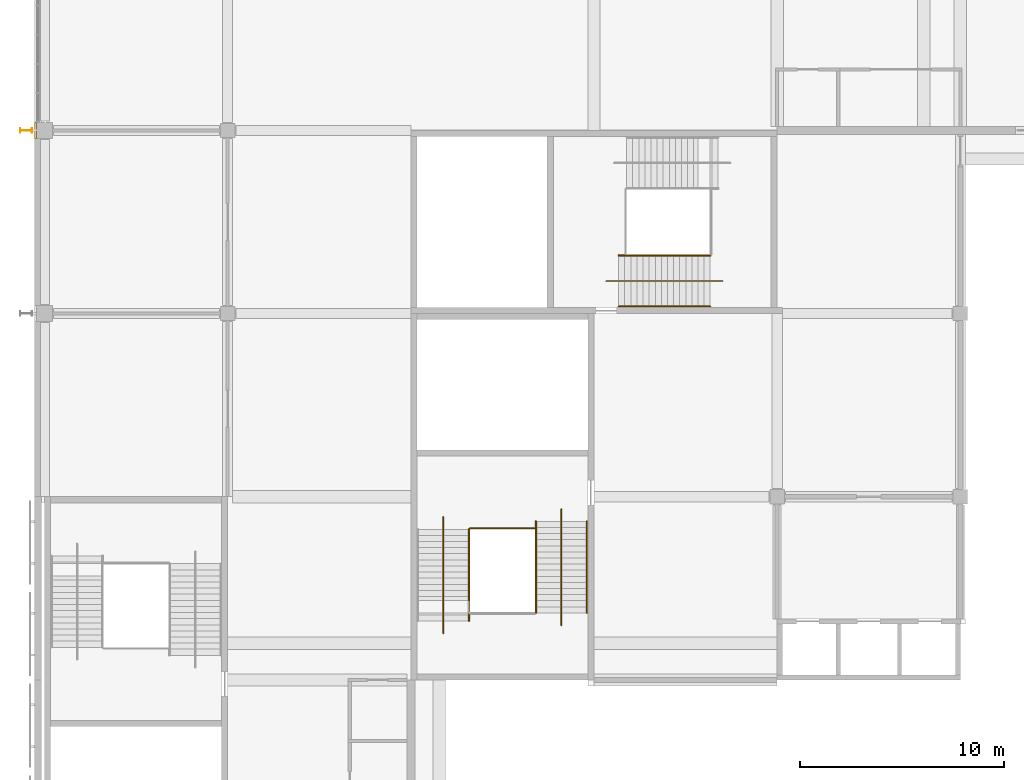
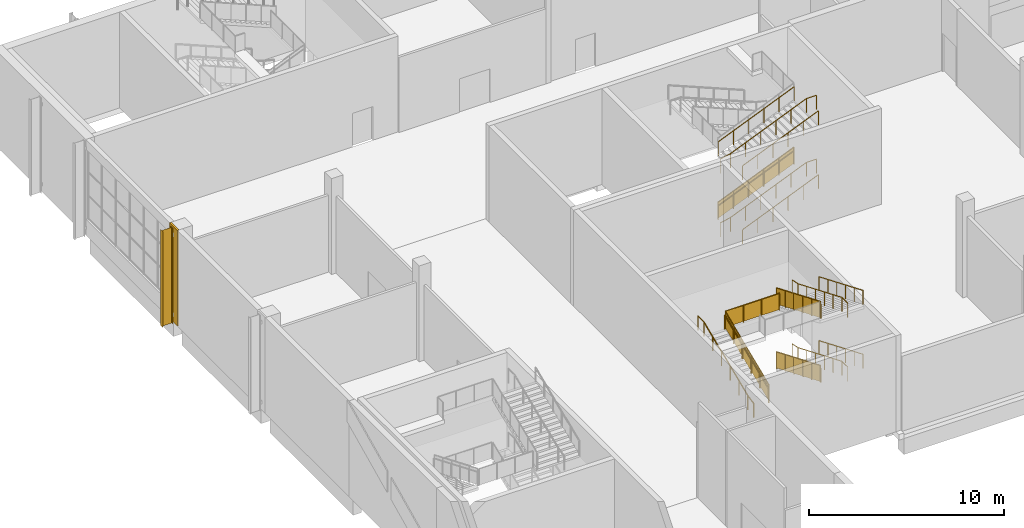
# One storey, part 77 of 89: 19 railings, 1 covering, 1 shading device.
"""IFC4 building model written with IfcOpenShell, lengths in metres."""

from ifc_helpers import new_model, si_unit, direction, frame, origin, origin_2d, place, context, subcontext, project, spatial, polyline, circle, i_section, outline, extrude, material, layer, layer_set, material_profile, profile_set, type_object, element, save


model = new_model("IFC4")

# Units and contexts
model_context = context("Model", 3, precision=1e-05, world=origin(), true_north=direction((0.0, 1.0)))
body_context = subcontext(model_context, "Body", "Model", "MODEL_VIEW")
ifc_project = project(units=[si_unit("LENGTHUNIT", "METRE"), si_unit("AREAUNIT", "SQUARE_METRE"), si_unit("VOLUMEUNIT", "CUBIC_METRE"), si_unit("PLANEANGLEUNIT", "RADIAN"), si_unit("MASSUNIT", "GRAM", prefix="KILO")], contexts=[model_context])

# Site, building, storey
site_placement = place(None, origin())
site = spatial("IfcSite", under=ifc_project, at=site_placement, CompositionType="ELEMENT")
building_placement = place(site_placement, origin())
building = spatial("IfcBuilding", under=site, at=building_placement, Name="Silverbay Arena", CompositionType="ELEMENT")
storey_placement = place(building_placement, frame((0.0, 0.0, 22.0)))
storey = spatial("IfcBuildingStorey", under=building, at=storey_placement, Name="L03", CompositionType="ELEMENT", Elevation=22.0)

# Covering
ifc_material_1 = material(Name="Aluminium composite cladding", Category="aluminium")
ifc_layer = layer(ifc_material_1, 0.10009765625)
ifc_layer_set = layer_set([ifc_layer], Name="Aluminium composite cladding")
covering_type = type_object("IfcCoveringType", Name="Column cladding 100", PredefinedType="CLADDING", material=ifc_layer_set)
covering_placement = place(storey_placement, origin())
element("IfcCovering", 1, at=covering_placement, inside=storey, type_object=covering_type, Name="West column cladding L03 13", PredefinedType="CLADDING", context=body_context, shape_type="SweptSolid", body=[
    extrude(outline(polyline([(53.5, 125.60009765625), (53.60009765625, 125.60009765625), (53.60009765625, 126.39990234375), (53.5, 126.39990234375), (53.5, 125.60009765625)])), origin(), (0.0, 0.0, 1.0), 6.0),
])

# Railings
ifc_material_2 = material(Name="Stainless steel", Category="steel")
railing_type_1 = type_object("IfcRailingType", Name="Stair guard 1100", PredefinedType="GUARDRAIL", material=ifc_material_2)
railing_1_placement = place(storey_placement, frame((82.2099609375, 119.875, 0.125)))
element("IfcRailing", 2, at=railing_1_placement, inside=storey, type_object=railing_type_1, Name="Stair ST-NW1 L03 to L04 flight 1 guard right", PredefinedType="GUARDRAIL", context=body_context, shape_type="SweptSolid", body=[
    extrude(circle(Radius=0.02392578125, at=origin_2d()), frame((0.0, 0.0, 1.076171875), z_axis=(0.923076923077, 0.0, 0.384615384615), x_axis=(0.0, 1.0, 0.0)), (0.0, 0.0, 1.0), 4.875),
    extrude(outline(polyline([(-0.008056640625, 0.046630859375), (0.907958984375, 0.42822265625), (0.907958984375, 1.431396484375), (-0.008056640625, 1.049560546875), (-0.008056640625, 0.046630859375)])), frame((0.0, 0.0029296875, 0.0), z_axis=(0.0, -1.0, 0.0), x_axis=(1.0, 0.0, 0.0)), (0.0, 0.0, 1.0), 0.006103515625),
    extrude(outline(polyline([(-0.008056640625, 0.421630859375), (0.907958984375, 0.80322265625), (0.907958984375, 1.806396484375), (-0.008056640625, 1.424560546875), (-0.008056640625, 0.421630859375)])), frame((0.89990234375, 0.0029296875, 0.0), z_axis=(0.0, -1.0, 0.0), x_axis=(1.0, 0.0, 0.0)), (0.0, 0.0, 1.0), 0.006103515625),
    extrude(outline(polyline([(-0.008056640625, 0.796630859375), (0.907958984375, 1.17822265625), (0.907958984375, 2.181396484375), (-0.008056640625, 1.799560546875), (-0.008056640625, 0.796630859375)])), frame((1.800048828125, 0.0029296875, 0.0), z_axis=(0.0, -1.0, 0.0), x_axis=(1.0, 0.0, 0.0)), (0.0, 0.0, 1.0), 0.006103515625),
    extrude(outline(polyline([(-0.008056640625, 1.171630859375), (0.907958984375, 1.55322265625), (0.907958984375, 2.556396484375), (-0.008056640625, 2.174560546875), (-0.008056640625, 1.171630859375)])), frame((2.699951171875, 0.0029296875, 0.0), z_axis=(0.0, -1.0, 0.0), x_axis=(1.0, 0.0, 0.0)), (0.0, 0.0, 1.0), 0.006103515625),
    extrude(outline(polyline([(-0.008056640625, 1.546630859375), (0.907958984375, 1.92822265625), (0.907958984375, 2.931396484375), (-0.008056640625, 2.549560546875), (-0.008056640625, 1.546630859375)])), frame((3.60009765625, 0.0029296875, 0.0), z_axis=(0.0, -1.0, 0.0), x_axis=(1.0, 0.0, 0.0)), (0.0, 0.0, 1.0), 0.006103515625),
    extrude(circle(Radius=0.02099609375, at=origin_2d()), origin(), (0.0, 0.0, 1.0), 1.052001953125),
    extrude(circle(Radius=0.02099609375, at=origin_2d()), frame((0.89990234375, 0.0, 0.375)), (0.0, 0.0, 1.0), 1.052001953125),
    extrude(circle(Radius=0.02099609375, at=origin_2d()), frame((1.800048828125, 0.0, 0.75)), (0.0, 0.0, 1.0), 1.052001953125),
    extrude(circle(Radius=0.02099609375, at=origin_2d()), frame((2.699951171875, 0.0, 1.125)), (0.0, 0.0, 1.0), 1.052001953125),
    extrude(circle(Radius=0.02099609375, at=origin_2d()), frame((3.60009765625, 0.0, 1.5)), (0.0, 0.0, 1.0), 1.052001953125),
    extrude(circle(Radius=0.02099609375, at=origin_2d()), frame((4.5, 0.0, 1.875)), (0.0, 0.0, 1.0), 1.052001953125),
])
railing_2_placement = place(storey_placement, frame((78.125, 106.7900390625, 0.125)))
element("IfcRailing", 3, at=railing_2_placement, inside=storey, type_object=railing_type_1, Name="Stair ST-NW2 L03 to L04 flight 1 guard right", PredefinedType="GUARDRAIL", context=body_context, shape_type="SweptSolid", body=[
    extrude(circle(Radius=0.02392578125, at=origin_2d()), frame((0.0, 0.0, 1.076171875), z_axis=(0.0, -0.923076923077, 0.384615384615), x_axis=(1.0, 0.0, 0.0)), (0.0, 0.0, 1.0), 4.875),
    extrude(outline(polyline([(-0.008056640625, 0.046630859375), (0.907958984375, 0.42822265625), (0.907958984375, 1.431396484375), (-0.008056640625, 1.049560546875), (-0.008056640625, 0.046630859375)])), frame((0.0029296875, 0.0, 0.0), z_axis=(-1.0, 0.0, 0.0), x_axis=(0.0, -1.0, 0.0)), (0.0, 0.0, 1.0), 0.006103515625),
    extrude(outline(polyline([(-0.008056640625, 0.421630859375), (0.907958984375, 0.80322265625), (0.907958984375, 1.806396484375), (-0.008056640625, 1.424560546875), (-0.008056640625, 0.421630859375)])), frame((0.0029296875, -0.89990234375, 0.0), z_axis=(-1.0, 0.0, 0.0), x_axis=(0.0, -1.0, 0.0)), (0.0, 0.0, 1.0), 0.006103515625),
    extrude(outline(polyline([(-0.008056640625, 0.796630859375), (0.907958984375, 1.17822265625), (0.907958984375, 2.181396484375), (-0.008056640625, 1.799560546875), (-0.008056640625, 0.796630859375)])), frame((0.0029296875, -1.800048828125, 0.0), z_axis=(-1.0, 0.0, 0.0), x_axis=(0.0, -1.0, 0.0)), (0.0, 0.0, 1.0), 0.006103515625),
    extrude(outline(polyline([(-0.008056640625, 1.171630859375), (0.907958984375, 1.55322265625), (0.907958984375, 2.556396484375), (-0.008056640625, 2.174560546875), (-0.008056640625, 1.171630859375)])), frame((0.0029296875, -2.699951171875, 0.0), z_axis=(-1.0, 0.0, 0.0), x_axis=(0.0, -1.0, 0.0)), (0.0, 0.0, 1.0), 0.006103515625),
    extrude(outline(polyline([(-0.008056640625, 1.546630859375), (0.907958984375, 1.92822265625), (0.907958984375, 2.931396484375), (-0.008056640625, 2.549560546875), (-0.008056640625, 1.546630859375)])), frame((0.0029296875, -3.60009765625, 0.0), z_axis=(-1.0, 0.0, 0.0), x_axis=(0.0, -1.0, 0.0)), (0.0, 0.0, 1.0), 0.006103515625),
    extrude(circle(Radius=0.02099609375, at=origin_2d()), origin(), (0.0, 0.0, 1.0), 1.052001953125),
    extrude(circle(Radius=0.02099609375, at=origin_2d()), frame((0.0, -0.89990234375, 0.375)), (0.0, 0.0, 1.0), 1.052001953125),
    extrude(circle(Radius=0.02099609375, at=origin_2d()), frame((0.0, -1.800048828125, 0.75)), (0.0, 0.0, 1.0), 1.052001953125),
    extrude(circle(Radius=0.02099609375, at=origin_2d()), frame((0.0, -2.699951171875, 1.125)), (0.0, 0.0, 1.0), 1.052001953125),
    extrude(circle(Radius=0.02099609375, at=origin_2d()), frame((0.0, -3.60009765625, 1.5)), (0.0, 0.0, 1.0), 1.052001953125),
    extrude(circle(Radius=0.02099609375, at=origin_2d()), frame((0.0, -4.5, 1.875)), (0.0, 0.0, 1.0), 1.052001953125),
])
railing_3_placement = place(storey_placement, frame((74.875, 101.89990234375, 2.125)))
element("IfcRailing", 4, at=railing_3_placement, inside=storey, type_object=railing_type_1, Name="Stair ST-NW2 L03 to L04 flight 2 guard left", PredefinedType="GUARDRAIL", context=body_context, shape_type="SweptSolid", body=[
    extrude(circle(Radius=0.02392578125, at=origin_2d()), frame((0.0, 0.0, 1.076171875), z_axis=(0.0, 0.923076923077, 0.384615384615), x_axis=(-1.0, 0.0, 0.0)), (0.0, 0.0, 1.0), 4.875),
    extrude(outline(polyline([(-0.008056640625, 0.046630859375), (0.907958984375, 0.42822265625), (0.907958984375, 1.431396484375), (-0.008056640625, 1.049560546875), (-0.008056640625, 0.046630859375)])), frame((-0.0029296875, 0.0, 0.0), z_axis=(1.0, 0.0, 0.0), x_axis=(0.0, 1.0, 0.0)), (0.0, 0.0, 1.0), 0.006103515625),
    extrude(outline(polyline([(-0.008056640625, 0.421630859375), (0.907958984375, 0.80322265625), (0.907958984375, 1.806396484375), (-0.008056640625, 1.424560546875), (-0.008056640625, 0.421630859375)])), frame((-0.0029296875, 0.89990234375, 0.0), z_axis=(1.0, 0.0, 0.0), x_axis=(0.0, 1.0, 0.0)), (0.0, 0.0, 1.0), 0.006103515625),
    extrude(outline(polyline([(-0.008056640625, 0.796630859375), (0.907958984375, 1.17822265625), (0.907958984375, 2.181396484375), (-0.008056640625, 1.799560546875), (-0.008056640625, 0.796630859375)])), frame((-0.0029296875, 1.800048828125, 0.0), z_axis=(1.0, 0.0, 0.0), x_axis=(0.0, 1.0, 0.0)), (0.0, 0.0, 1.0), 0.006103515625),
    extrude(outline(polyline([(-0.008056640625, 1.171630859375), (0.907958984375, 1.55322265625), (0.907958984375, 2.556396484375), (-0.008056640625, 2.174560546875), (-0.008056640625, 1.171630859375)])), frame((-0.0029296875, 2.699951171875, 0.0), z_axis=(1.0, 0.0, 0.0), x_axis=(0.0, 1.0, 0.0)), (0.0, 0.0, 1.0), 0.006103515625),
    extrude(outline(polyline([(-0.008056640625, 1.546630859375), (0.907958984375, 1.92822265625), (0.907958984375, 2.931396484375), (-0.008056640625, 2.549560546875), (-0.008056640625, 1.546630859375)])), frame((-0.0029296875, 3.60009765625, 0.0), z_axis=(1.0, 0.0, 0.0), x_axis=(0.0, 1.0, 0.0)), (0.0, 0.0, 1.0), 0.006103515625),
    extrude(circle(Radius=0.02099609375, at=origin_2d()), origin(), (0.0, 0.0, 1.0), 1.052001953125),
    extrude(circle(Radius=0.02099609375, at=origin_2d()), frame((0.0, 0.89990234375, 0.375)), (0.0, 0.0, 1.0), 1.052001953125),
    extrude(circle(Radius=0.02099609375, at=origin_2d()), frame((0.0, 1.800048828125, 0.75)), (0.0, 0.0, 1.0), 1.052001953125),
    extrude(circle(Radius=0.02099609375, at=origin_2d()), frame((0.0, 2.699951171875, 1.125)), (0.0, 0.0, 1.0), 1.052001953125),
    extrude(circle(Radius=0.02099609375, at=origin_2d()), frame((0.0, 3.60009765625, 1.5)), (0.0, 0.0, 1.0), 1.052001953125),
    extrude(circle(Radius=0.02099609375, at=origin_2d()), frame((0.0, 4.5, 1.875)), (0.0, 0.0, 1.0), 1.052001953125),
])
railing_4_placement = place(storey_placement, frame((78.125, 106.7900390625, 4.125)))
element("IfcRailing", 5, at=railing_4_placement, inside=storey, type_object=railing_type_1, Name="Stair ST-NW2 L03 to L04 flight 3 guard right", PredefinedType="GUARDRAIL", context=body_context, shape_type="SweptSolid", body=[
    extrude(circle(Radius=0.02392578125, at=origin_2d()), frame((0.0, 0.0, 1.076171875), z_axis=(0.0, -0.923076923077, 0.384615384615), x_axis=(1.0, 0.0, 0.0)), (0.0, 0.0, 1.0), 4.875),
    extrude(outline(polyline([(-0.008056640625, 0.046630859375), (0.907958984375, 0.42822265625), (0.907958984375, 1.431396484375), (-0.008056640625, 1.049560546875), (-0.008056640625, 0.046630859375)])), frame((0.0029296875, 0.0, 0.0), z_axis=(-1.0, 0.0, 0.0), x_axis=(0.0, -1.0, 0.0)), (0.0, 0.0, 1.0), 0.006103515625),
    extrude(outline(polyline([(-0.008056640625, 0.421630859375), (0.907958984375, 0.80322265625), (0.907958984375, 1.806396484375), (-0.008056640625, 1.424560546875), (-0.008056640625, 0.421630859375)])), frame((0.0029296875, -0.89990234375, 0.0), z_axis=(-1.0, 0.0, 0.0), x_axis=(0.0, -1.0, 0.0)), (0.0, 0.0, 1.0), 0.006103515625),
    extrude(outline(polyline([(-0.008056640625, 0.796630859375), (0.907958984375, 1.17822265625), (0.907958984375, 2.181396484375), (-0.008056640625, 1.799560546875), (-0.008056640625, 0.796630859375)])), frame((0.0029296875, -1.800048828125, 0.0), z_axis=(-1.0, 0.0, 0.0), x_axis=(0.0, -1.0, 0.0)), (0.0, 0.0, 1.0), 0.006103515625),
    extrude(outline(polyline([(-0.008056640625, 1.171630859375), (0.907958984375, 1.55322265625), (0.907958984375, 2.556396484375), (-0.008056640625, 2.174560546875), (-0.008056640625, 1.171630859375)])), frame((0.0029296875, -2.699951171875, 0.0), z_axis=(-1.0, 0.0, 0.0), x_axis=(0.0, -1.0, 0.0)), (0.0, 0.0, 1.0), 0.006103515625),
    extrude(outline(polyline([(-0.008056640625, 1.546630859375), (0.907958984375, 1.92822265625), (0.907958984375, 2.931396484375), (-0.008056640625, 2.549560546875), (-0.008056640625, 1.546630859375)])), frame((0.0029296875, -3.60009765625, 0.0), z_axis=(-1.0, 0.0, 0.0), x_axis=(0.0, -1.0, 0.0)), (0.0, 0.0, 1.0), 0.006103515625),
    extrude(circle(Radius=0.02099609375, at=origin_2d()), origin(), (0.0, 0.0, 1.0), 1.052001953125),
    extrude(circle(Radius=0.02099609375, at=origin_2d()), frame((0.0, -0.89990234375, 0.375)), (0.0, 0.0, 1.0), 1.052001953125),
    extrude(circle(Radius=0.02099609375, at=origin_2d()), frame((0.0, -1.800048828125, 0.75)), (0.0, 0.0, 1.0), 1.052001953125),
    extrude(circle(Radius=0.02099609375, at=origin_2d()), frame((0.0, -2.699951171875, 1.125)), (0.0, 0.0, 1.0), 1.052001953125),
    extrude(circle(Radius=0.02099609375, at=origin_2d()), frame((0.0, -3.60009765625, 1.5)), (0.0, 0.0, 1.0), 1.052001953125),
    extrude(circle(Radius=0.02099609375, at=origin_2d()), frame((0.0, -4.5, 1.875)), (0.0, 0.0, 1.0), 1.052001953125),
])
railing_5_placement = place(storey_placement, frame((78.10009765625, 106.449951171875, 4.0)))
element("IfcRailing", 6, at=railing_5_placement, inside=storey, type_object=railing_type_1, Name="Stair ST-NW2 L03 to L04 landing 2 guard", PredefinedType="GUARDRAIL", context=body_context, shape_type="SweptSolid", body=[
    extrude(circle(Radius=0.02392578125, at=origin_2d()), frame((0.0, 0.0, 1.076171875), z_axis=(-1.0, 0.0, 0.0), x_axis=(0.0, -1.0, 0.0)), (0.0, 0.0, 1.0), 3.2001953125),
    extrude(outline(polyline([(-0.008056640625, 0.050048828125), (1.07470703125, 0.050048828125), (1.07470703125, 1.052978515625), (-0.008056640625, 1.052978515625), (-0.008056640625, 0.050048828125)])), frame((0.0, -0.0029296875, 0.0), z_axis=(0.0, 1.0, 0.0), x_axis=(-1.0, 0.0, 0.0)), (0.0, 0.0, 1.0), 0.006103515625),
    extrude(outline(polyline([(-0.008056640625, 0.050048828125), (1.07470703125, 0.050048828125), (1.07470703125, 1.052978515625), (-0.008056640625, 1.052978515625), (-0.008056640625, 0.050048828125)])), frame((-1.066650390625, -0.0029296875, 0.0), z_axis=(0.0, 1.0, 0.0), x_axis=(-1.0, 0.0, 0.0)), (0.0, 0.0, 1.0), 0.006103515625),
    extrude(outline(polyline([(-0.008056640625, 0.050048828125), (1.07470703125, 0.050048828125), (1.07470703125, 1.052978515625), (-0.008056640625, 1.052978515625), (-0.008056640625, 0.050048828125)])), frame((-2.133544921875, -0.0029296875, 0.0), z_axis=(0.0, 1.0, 0.0), x_axis=(-1.0, 0.0, 0.0)), (0.0, 0.0, 1.0), 0.006103515625),
    extrude(circle(Radius=0.02099609375, at=origin_2d()), origin(), (0.0, 0.0, 1.0), 1.052001953125),
    extrude(circle(Radius=0.02099609375, at=origin_2d()), frame((-1.066650390625, 0.0, 0.0)), (0.0, 0.0, 1.0), 1.052001953125),
    extrude(circle(Radius=0.02099609375, at=origin_2d()), frame((-2.133544921875, 0.0, 0.0)), (0.0, 0.0, 1.0), 1.052001953125),
    extrude(circle(Radius=0.02099609375, at=origin_2d()), frame((-3.2001953125, 0.0, 0.0)), (0.0, 0.0, 1.0), 1.052001953125),
])
ifc_material_3 = material(Name="Stainless steel", Category="steel")
railing_type_2 = type_object("IfcRailingType", Name="Stair handrail 900", PredefinedType="HANDRAIL", material=ifc_material_3)
for number, where, name in (
    (7, (82.2099609375, 117.35009765625, 0.125), "Stair ST-NW1 L03 to L04 flight 1 handrail left"),
    (8, (82.2099609375, 119.8359375, 0.125), "Stair ST-NW1 L03 to L04 flight 1 handrail right"),
):
    element("IfcRailing", number, at=place(storey_placement, frame(where)), inside=storey, type_object=railing_type_2, Name=name, PredefinedType="HANDRAIL", context=body_context, shape_type="SweptSolid", body=[
        extrude(circle(Radius=0.02392578125, at=origin_2d()), frame((0.0, 0.0, 0.8759765625), z_axis=(0.923076923077, 0.0, 0.384615384615), x_axis=(0.0, 1.0, 0.0)), (0.0, 0.0, 1.0), 4.875),
        extrude(circle(Radius=0.02099609375, at=origin_2d()), origin(), (0.0, 0.0, 1.0), 0.851806640625),
        extrude(circle(Radius=0.02099609375, at=origin_2d()), frame((0.89990234375, 0.0, 0.375)), (0.0, 0.0, 1.0), 0.851806640625),
        extrude(circle(Radius=0.02099609375, at=origin_2d()), frame((1.800048828125, 0.0, 0.75)), (0.0, 0.0, 1.0), 0.851806640625),
        extrude(circle(Radius=0.02099609375, at=origin_2d()), frame((2.699951171875, 0.0, 1.125)), (0.0, 0.0, 1.0), 0.851806640625),
        extrude(circle(Radius=0.02099609375, at=origin_2d()), frame((3.60009765625, 0.0, 1.5)), (0.0, 0.0, 1.0), 0.851806640625),
        extrude(circle(Radius=0.02099609375, at=origin_2d()), frame((4.5, 0.0, 1.875)), (0.0, 0.0, 1.0), 0.851806640625),
    ])
railing_6_placement = place(storey_placement, frame((81.610107421875, 118.60009765625, 0.0)))
element("IfcRailing", 9, at=railing_6_placement, inside=storey, type_object=railing_type_2, Name="Stair ST-NW1 L03 to L04 flight 1 central handrail", PredefinedType="HANDRAIL", context=body_context, shape_type="SweptSolid", body=[
    extrude(circle(Radius=0.02392578125, at=origin_2d()), frame((0.0, 0.0, 0.8759765625), z_axis=(0.978970474113, 0.0, 0.20400198728), x_axis=(0.0, 1.0, 0.0)), (0.0, 0.0, 1.0), 0.61279296875),
    extrude(circle(Radius=0.02392578125, at=origin_2d()), frame((0.599853515625, 0.0, 1.0009765625), z_axis=(0.923076923077, 0.0, 0.384615384615), x_axis=(0.0, 1.0, 0.0)), (0.0, 0.0, 1.0), 4.875),
    extrude(circle(Radius=0.02392578125, at=origin_2d()), frame((5.099853515625, 0.0, 2.8759765625), z_axis=(1.0, 0.0, 0.0), x_axis=(0.0, 1.0, 0.0)), (0.0, 0.0, 1.0), 0.60009765625),
    extrude(circle(Radius=0.02099609375, at=origin_2d()), origin(), (0.0, 0.0, 1.0), 0.851806640625),
    extrude(circle(Radius=0.02099609375, at=origin_2d()), frame((0.599853515625, 0.0, 0.125)), (0.0, 0.0, 1.0), 0.851806640625),
    extrude(circle(Radius=0.02099609375, at=origin_2d()), frame((1.499755859375, 0.0, 0.5)), (0.0, 0.0, 1.0), 0.851806640625),
    extrude(circle(Radius=0.02099609375, at=origin_2d()), frame((2.39990234375, 0.0, 0.875)), (0.0, 0.0, 1.0), 0.851806640625),
    extrude(circle(Radius=0.02099609375, at=origin_2d()), frame((3.2998046875, 0.0, 1.25)), (0.0, 0.0, 1.0), 0.851806640625),
    extrude(circle(Radius=0.02099609375, at=origin_2d()), frame((4.199951171875, 0.0, 1.625)), (0.0, 0.0, 1.0), 0.851806640625),
    extrude(circle(Radius=0.02099609375, at=origin_2d()), frame((5.099853515625, 0.0, 2.0)), (0.0, 0.0, 1.0), 0.851806640625),
    extrude(circle(Radius=0.02099609375, at=origin_2d()), frame((5.699951171875, 0.0, 2.0)), (0.0, 0.0, 1.0), 0.851806640625),
])
for number, where, name in (
    (10, (82.2099609375, 117.35009765625, 4.125), "Stair ST-NW1 L03 to L04 flight 3 handrail left"),
    (11, (82.2099609375, 119.8359375, 4.125), "Stair ST-NW1 L03 to L04 flight 3 handrail right"),
):
    element("IfcRailing", number, at=place(storey_placement, frame(where)), inside=storey, type_object=railing_type_2, Name=name, PredefinedType="HANDRAIL", context=body_context, shape_type="SweptSolid", body=[
        extrude(circle(Radius=0.02392578125, at=origin_2d()), frame((0.0, 0.0, 0.8759765625), z_axis=(0.923076923077, 0.0, 0.384615384615), x_axis=(0.0, 1.0, 0.0)), (0.0, 0.0, 1.0), 4.875),
        extrude(circle(Radius=0.02099609375, at=origin_2d()), origin(), (0.0, 0.0, 1.0), 0.851806640625),
        extrude(circle(Radius=0.02099609375, at=origin_2d()), frame((0.89990234375, 0.0, 0.375)), (0.0, 0.0, 1.0), 0.851806640625),
        extrude(circle(Radius=0.02099609375, at=origin_2d()), frame((1.800048828125, 0.0, 0.75)), (0.0, 0.0, 1.0), 0.851806640625),
        extrude(circle(Radius=0.02099609375, at=origin_2d()), frame((2.699951171875, 0.0, 1.125)), (0.0, 0.0, 1.0), 0.851806640625),
        extrude(circle(Radius=0.02099609375, at=origin_2d()), frame((3.60009765625, 0.0, 1.5)), (0.0, 0.0, 1.0), 0.851806640625),
        extrude(circle(Radius=0.02099609375, at=origin_2d()), frame((4.5, 0.0, 1.875)), (0.0, 0.0, 1.0), 0.851806640625),
    ])
railing_7_placement = place(storey_placement, frame((81.610107421875, 118.60009765625, 4.0)))
element("IfcRailing", 12, at=railing_7_placement, inside=storey, type_object=railing_type_2, Name="Stair ST-NW1 L03 to L04 flight 3 central handrail", PredefinedType="HANDRAIL", context=body_context, shape_type="SweptSolid", body=[
    extrude(circle(Radius=0.02392578125, at=origin_2d()), frame((0.0, 0.0, 0.8759765625), z_axis=(0.978970474113, 0.0, 0.20400198728), x_axis=(0.0, 1.0, 0.0)), (0.0, 0.0, 1.0), 0.61279296875),
    extrude(circle(Radius=0.02392578125, at=origin_2d()), frame((0.599853515625, 0.0, 1.0009765625), z_axis=(0.923076923077, 0.0, 0.384615384615), x_axis=(0.0, 1.0, 0.0)), (0.0, 0.0, 1.0), 4.875),
    extrude(circle(Radius=0.02392578125, at=origin_2d()), frame((5.099853515625, 0.0, 2.8759765625), z_axis=(1.0, 0.0, 0.0), x_axis=(0.0, 1.0, 0.0)), (0.0, 0.0, 1.0), 0.60009765625),
    extrude(circle(Radius=0.02099609375, at=origin_2d()), origin(), (0.0, 0.0, 1.0), 0.851806640625),
    extrude(circle(Radius=0.02099609375, at=origin_2d()), frame((0.599853515625, 0.0, 0.125)), (0.0, 0.0, 1.0), 0.851806640625),
    extrude(circle(Radius=0.02099609375, at=origin_2d()), frame((1.499755859375, 0.0, 0.5)), (0.0, 0.0, 1.0), 0.851806640625),
    extrude(circle(Radius=0.02099609375, at=origin_2d()), frame((2.39990234375, 0.0, 0.875)), (0.0, 0.0, 1.0), 0.851806640625),
    extrude(circle(Radius=0.02099609375, at=origin_2d()), frame((3.2998046875, 0.0, 1.25)), (0.0, 0.0, 1.0), 0.851806640625),
    extrude(circle(Radius=0.02099609375, at=origin_2d()), frame((4.199951171875, 0.0, 1.625)), (0.0, 0.0, 1.0), 0.851806640625),
    extrude(circle(Radius=0.02099609375, at=origin_2d()), frame((5.099853515625, 0.0, 2.0)), (0.0, 0.0, 1.0), 0.851806640625),
    extrude(circle(Radius=0.02099609375, at=origin_2d()), frame((5.699951171875, 0.0, 2.0)), (0.0, 0.0, 1.0), 0.851806640625),
])
for number, where, name in (
    (13, (80.64990234375, 106.7900390625, 0.125), "Stair ST-NW2 L03 to L04 flight 1 handrail left"),
    (14, (78.1640625, 106.7900390625, 0.125), "Stair ST-NW2 L03 to L04 flight 1 handrail right"),
):
    element("IfcRailing", number, at=place(storey_placement, frame(where)), inside=storey, type_object=railing_type_2, Name=name, PredefinedType="HANDRAIL", context=body_context, shape_type="SweptSolid", body=[
        extrude(circle(Radius=0.02392578125, at=origin_2d()), frame((0.0, 0.0, 0.8759765625), z_axis=(0.0, -0.923076923077, 0.384615384615), x_axis=(1.0, 0.0, 0.0)), (0.0, 0.0, 1.0), 4.875),
        extrude(circle(Radius=0.02099609375, at=origin_2d()), origin(), (0.0, 0.0, 1.0), 0.851806640625),
        extrude(circle(Radius=0.02099609375, at=origin_2d()), frame((0.0, -0.89990234375, 0.375)), (0.0, 0.0, 1.0), 0.851806640625),
        extrude(circle(Radius=0.02099609375, at=origin_2d()), frame((0.0, -1.800048828125, 0.75)), (0.0, 0.0, 1.0), 0.851806640625),
        extrude(circle(Radius=0.02099609375, at=origin_2d()), frame((0.0, -2.699951171875, 1.125)), (0.0, 0.0, 1.0), 0.851806640625),
        extrude(circle(Radius=0.02099609375, at=origin_2d()), frame((0.0, -3.60009765625, 1.5)), (0.0, 0.0, 1.0), 0.851806640625),
        extrude(circle(Radius=0.02099609375, at=origin_2d()), frame((0.0, -4.5, 1.875)), (0.0, 0.0, 1.0), 0.851806640625),
    ])
railing_8_placement = place(storey_placement, frame((79.39990234375, 107.389892578125, 0.0)))
element("IfcRailing", 15, at=railing_8_placement, inside=storey, type_object=railing_type_2, Name="Stair ST-NW2 L03 to L04 flight 1 central handrail", PredefinedType="HANDRAIL", context=body_context, shape_type="SweptSolid", body=[
    extrude(circle(Radius=0.02392578125, at=origin_2d()), frame((0.0, 0.0, 0.8759765625), z_axis=(0.0, -0.978970474113, 0.20400198728), x_axis=(1.0, 0.0, 0.0)), (0.0, 0.0, 1.0), 0.61279296875),
    extrude(circle(Radius=0.02392578125, at=origin_2d()), frame((0.0, -0.599853515625, 1.0009765625), z_axis=(0.0, -0.923076923077, 0.384615384615), x_axis=(1.0, 0.0, 0.0)), (0.0, 0.0, 1.0), 4.875),
    extrude(circle(Radius=0.02392578125, at=origin_2d()), frame((0.0, -5.099853515625, 2.8759765625), z_axis=(0.0, -1.0, 0.0), x_axis=(1.0, 0.0, 0.0)), (0.0, 0.0, 1.0), 0.60009765625),
    extrude(circle(Radius=0.02099609375, at=origin_2d()), origin(), (0.0, 0.0, 1.0), 0.851806640625),
    extrude(circle(Radius=0.02099609375, at=origin_2d()), frame((0.0, -0.599853515625, 0.125)), (0.0, 0.0, 1.0), 0.851806640625),
    extrude(circle(Radius=0.02099609375, at=origin_2d()), frame((0.0, -1.499755859375, 0.5)), (0.0, 0.0, 1.0), 0.851806640625),
    extrude(circle(Radius=0.02099609375, at=origin_2d()), frame((0.0, -2.39990234375, 0.875)), (0.0, 0.0, 1.0), 0.851806640625),
    extrude(circle(Radius=0.02099609375, at=origin_2d()), frame((0.0, -3.2998046875, 1.25)), (0.0, 0.0, 1.0), 0.851806640625),
    extrude(circle(Radius=0.02099609375, at=origin_2d()), frame((0.0, -4.199951171875, 1.625)), (0.0, 0.0, 1.0), 0.851806640625),
    extrude(circle(Radius=0.02099609375, at=origin_2d()), frame((0.0, -5.099853515625, 2.0)), (0.0, 0.0, 1.0), 0.851806640625),
    extrude(circle(Radius=0.02099609375, at=origin_2d()), frame((0.0, -5.699951171875, 2.0)), (0.0, 0.0, 1.0), 0.851806640625),
])
railing_9_placement = place(storey_placement, frame((74.8359375, 101.89990234375, 2.125)))
element("IfcRailing", 16, at=railing_9_placement, inside=storey, type_object=railing_type_2, Name="Stair ST-NW2 L03 to L04 flight 2 handrail left", PredefinedType="HANDRAIL", context=body_context, shape_type="SweptSolid", body=[
    extrude(circle(Radius=0.02392578125, at=origin_2d()), frame((0.0, 0.0, 0.8759765625), z_axis=(0.0, 0.923076923077, 0.384615384615), x_axis=(-1.0, 0.0, 0.0)), (0.0, 0.0, 1.0), 4.875),
    extrude(circle(Radius=0.02099609375, at=origin_2d()), origin(), (0.0, 0.0, 1.0), 0.851806640625),
    extrude(circle(Radius=0.02099609375, at=origin_2d()), frame((0.0, 0.89990234375, 0.375)), (0.0, 0.0, 1.0), 0.851806640625),
    extrude(circle(Radius=0.02099609375, at=origin_2d()), frame((0.0, 1.800048828125, 0.75)), (0.0, 0.0, 1.0), 0.851806640625),
    extrude(circle(Radius=0.02099609375, at=origin_2d()), frame((0.0, 2.699951171875, 1.125)), (0.0, 0.0, 1.0), 0.851806640625),
    extrude(circle(Radius=0.02099609375, at=origin_2d()), frame((0.0, 3.60009765625, 1.5)), (0.0, 0.0, 1.0), 0.851806640625),
    extrude(circle(Radius=0.02099609375, at=origin_2d()), frame((0.0, 4.5, 1.875)), (0.0, 0.0, 1.0), 0.851806640625),
])
railing_10_placement = place(storey_placement, frame((73.60009765625, 101.300048828125, 2.0)))
element("IfcRailing", 17, at=railing_10_placement, inside=storey, type_object=railing_type_2, Name="Stair ST-NW2 L03 to L04 flight 2 central handrail", PredefinedType="HANDRAIL", context=body_context, shape_type="SweptSolid", body=[
    extrude(circle(Radius=0.02392578125, at=origin_2d()), frame((0.0, 0.0, 0.8759765625), z_axis=(0.0, 0.978970474113, 0.20400198728), x_axis=(-1.0, 0.0, 0.0)), (0.0, 0.0, 1.0), 0.61279296875),
    extrude(circle(Radius=0.02392578125, at=origin_2d()), frame((0.0, 0.599853515625, 1.0009765625), z_axis=(0.0, 0.923076923077, 0.384615384615), x_axis=(-1.0, 0.0, 0.0)), (0.0, 0.0, 1.0), 4.875),
    extrude(circle(Radius=0.02392578125, at=origin_2d()), frame((0.0, 5.099853515625, 2.8759765625), z_axis=(0.0, 1.0, 0.0), x_axis=(-1.0, 0.0, 0.0)), (0.0, 0.0, 1.0), 0.60009765625),
    extrude(circle(Radius=0.02099609375, at=origin_2d()), origin(), (0.0, 0.0, 1.0), 0.851806640625),
    extrude(circle(Radius=0.02099609375, at=origin_2d()), frame((0.0, 0.599853515625, 0.125)), (0.0, 0.0, 1.0), 0.851806640625),
    extrude(circle(Radius=0.02099609375, at=origin_2d()), frame((0.0, 1.499755859375, 0.5)), (0.0, 0.0, 1.0), 0.851806640625),
    extrude(circle(Radius=0.02099609375, at=origin_2d()), frame((0.0, 2.39990234375, 0.875)), (0.0, 0.0, 1.0), 0.851806640625),
    extrude(circle(Radius=0.02099609375, at=origin_2d()), frame((0.0, 3.2998046875, 1.25)), (0.0, 0.0, 1.0), 0.851806640625),
    extrude(circle(Radius=0.02099609375, at=origin_2d()), frame((0.0, 4.199951171875, 1.625)), (0.0, 0.0, 1.0), 0.851806640625),
    extrude(circle(Radius=0.02099609375, at=origin_2d()), frame((0.0, 5.099853515625, 2.0)), (0.0, 0.0, 1.0), 0.851806640625),
    extrude(circle(Radius=0.02099609375, at=origin_2d()), frame((0.0, 5.699951171875, 2.0)), (0.0, 0.0, 1.0), 0.851806640625),
])
for number, where, name in (
    (18, (80.64990234375, 106.7900390625, 4.125), "Stair ST-NW2 L03 to L04 flight 3 handrail left"),
    (19, (78.1640625, 106.7900390625, 4.125), "Stair ST-NW2 L03 to L04 flight 3 handrail right"),
):
    element("IfcRailing", number, at=place(storey_placement, frame(where)), inside=storey, type_object=railing_type_2, Name=name, PredefinedType="HANDRAIL", context=body_context, shape_type="SweptSolid", body=[
        extrude(circle(Radius=0.02392578125, at=origin_2d()), frame((0.0, 0.0, 0.8759765625), z_axis=(0.0, -0.923076923077, 0.384615384615), x_axis=(1.0, 0.0, 0.0)), (0.0, 0.0, 1.0), 4.875),
        extrude(circle(Radius=0.02099609375, at=origin_2d()), origin(), (0.0, 0.0, 1.0), 0.851806640625),
        extrude(circle(Radius=0.02099609375, at=origin_2d()), frame((0.0, -0.89990234375, 0.375)), (0.0, 0.0, 1.0), 0.851806640625),
        extrude(circle(Radius=0.02099609375, at=origin_2d()), frame((0.0, -1.800048828125, 0.75)), (0.0, 0.0, 1.0), 0.851806640625),
        extrude(circle(Radius=0.02099609375, at=origin_2d()), frame((0.0, -2.699951171875, 1.125)), (0.0, 0.0, 1.0), 0.851806640625),
        extrude(circle(Radius=0.02099609375, at=origin_2d()), frame((0.0, -3.60009765625, 1.5)), (0.0, 0.0, 1.0), 0.851806640625),
        extrude(circle(Radius=0.02099609375, at=origin_2d()), frame((0.0, -4.5, 1.875)), (0.0, 0.0, 1.0), 0.851806640625),
    ])
railing_11_placement = place(storey_placement, frame((79.39990234375, 107.389892578125, 4.0)))
element("IfcRailing", 20, at=railing_11_placement, inside=storey, type_object=railing_type_2, Name="Stair ST-NW2 L03 to L04 flight 3 central handrail", PredefinedType="HANDRAIL", context=body_context, shape_type="SweptSolid", body=[
    extrude(circle(Radius=0.02392578125, at=origin_2d()), frame((0.0, 0.0, 0.8759765625), z_axis=(0.0, -0.978970474113, 0.20400198728), x_axis=(1.0, 0.0, 0.0)), (0.0, 0.0, 1.0), 0.61279296875),
    extrude(circle(Radius=0.02392578125, at=origin_2d()), frame((0.0, -0.599853515625, 1.0009765625), z_axis=(0.0, -0.923076923077, 0.384615384615), x_axis=(1.0, 0.0, 0.0)), (0.0, 0.0, 1.0), 4.875),
    extrude(circle(Radius=0.02392578125, at=origin_2d()), frame((0.0, -5.099853515625, 2.8759765625), z_axis=(0.0, -1.0, 0.0), x_axis=(1.0, 0.0, 0.0)), (0.0, 0.0, 1.0), 0.60009765625),
    extrude(circle(Radius=0.02099609375, at=origin_2d()), origin(), (0.0, 0.0, 1.0), 0.851806640625),
    extrude(circle(Radius=0.02099609375, at=origin_2d()), frame((0.0, -0.599853515625, 0.125)), (0.0, 0.0, 1.0), 0.851806640625),
    extrude(circle(Radius=0.02099609375, at=origin_2d()), frame((0.0, -1.499755859375, 0.5)), (0.0, 0.0, 1.0), 0.851806640625),
    extrude(circle(Radius=0.02099609375, at=origin_2d()), frame((0.0, -2.39990234375, 0.875)), (0.0, 0.0, 1.0), 0.851806640625),
    extrude(circle(Radius=0.02099609375, at=origin_2d()), frame((0.0, -3.2998046875, 1.25)), (0.0, 0.0, 1.0), 0.851806640625),
    extrude(circle(Radius=0.02099609375, at=origin_2d()), frame((0.0, -4.199951171875, 1.625)), (0.0, 0.0, 1.0), 0.851806640625),
    extrude(circle(Radius=0.02099609375, at=origin_2d()), frame((0.0, -5.099853515625, 2.0)), (0.0, 0.0, 1.0), 0.851806640625),
    extrude(circle(Radius=0.02099609375, at=origin_2d()), frame((0.0, -5.699951171875, 2.0)), (0.0, 0.0, 1.0), 0.851806640625),
])

# Shading device
ifc_material_4 = material(Name="Steel S355", Category="steel")
ifc_material_profile = material_profile(ifc_material_4, i_section(OverallWidth=0.2275390625, OverallDepth=0.6025390625, WebThickness=0.010498046875, FlangeThickness=0.014892578125, at=origin_2d()), Name="UB 610x229x101")
ifc_profile_set = profile_set([ifc_material_profile], Name="Steel S355")
shading_device_type = type_object("IfcShadingDeviceType", Name="Steel fin UB 610x229x101", PredefinedType="USERDEFINED", material=ifc_profile_set)
shading_device_placement = place(storey_placement, frame((53.0986328125, 126.0, 0.0), z_axis=(0.0, 0.0, 1.0), x_axis=(0.0, 1.0, 0.0)))
element("IfcShadingDevice", 21, at=shading_device_placement, inside=storey, type_object=shading_device_type, Name="Steel fin W L03 24", ObjectType="FIN", PredefinedType="USERDEFINED", context=body_context, shape_type="SweptSolid", body=[
    extrude(i_section(OverallWidth=0.2275390625, OverallDepth=0.6025390625, WebThickness=0.010498046875, FlangeThickness=0.014892578125, at=origin_2d()), origin(), (0.0, 0.0, 1.0), 6.0),
])

save(model, "model.ifc")
